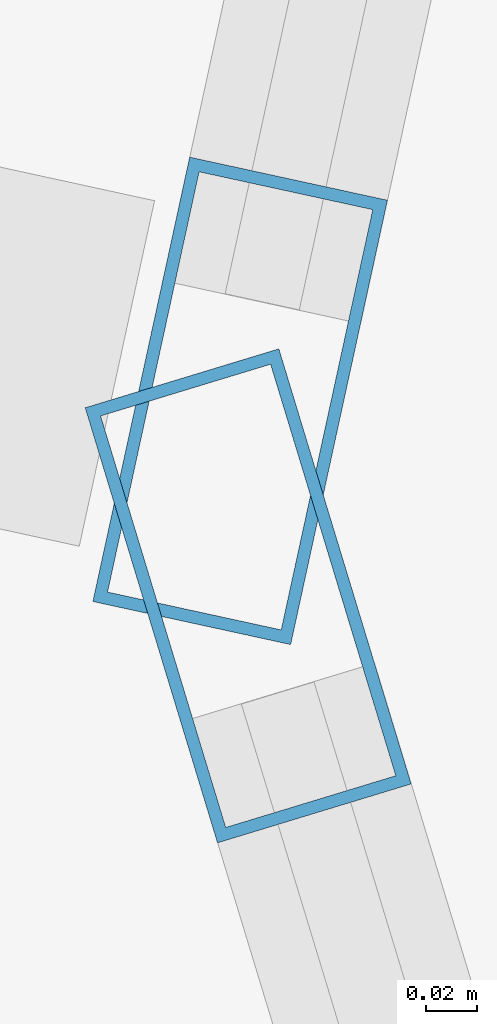
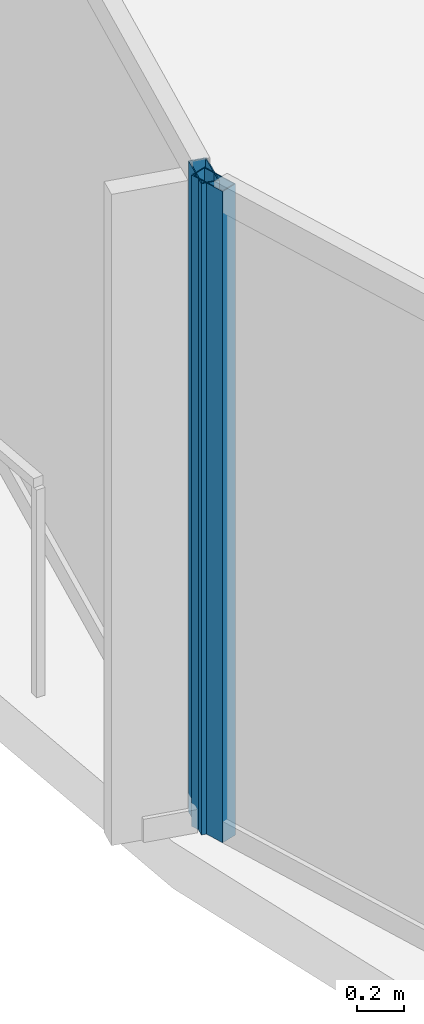
# One storey, part 8 of 34: 2 members, 2 elements without a shape of their own.
"""IFC4 building model written with IfcOpenShell, lengths in metres."""

from ifc_helpers import new_model, si_unit, direction, frame, origin, origin_2d, place, context, subcontext, project, spatial, hollow_rectangle, extrude, material, layer, layer_set, material_profile, profile_set, type_object, element, aggregate, save


model = new_model("IFC4")

# Units and contexts
model_context = context("Model", 3, precision=1e-05, world=origin(), true_north=direction((0.0, 1.0)))
body_context = subcontext(model_context, "Body", "Model", "MODEL_VIEW")
ifc_project = project(units=[si_unit("LENGTHUNIT", "METRE"), si_unit("AREAUNIT", "SQUARE_METRE"), si_unit("VOLUMEUNIT", "CUBIC_METRE"), si_unit("PLANEANGLEUNIT", "RADIAN"), si_unit("MASSUNIT", "GRAM", prefix="KILO")], contexts=[model_context])

# Site, building, storey
site_placement = place(None, origin())
site = spatial("IfcSite", under=ifc_project, at=site_placement, CompositionType="ELEMENT")
building_placement = place(site_placement, origin())
building = spatial("IfcBuilding", under=site, at=building_placement, Name="Kazevale Care Tower and Concert Hall", CompositionType="ELEMENT")
storey_placement = place(building_placement, frame((0.0, 0.0, 167.39990234375)))
storey = spatial("IfcBuildingStorey", under=building, at=storey_placement, Name="L44", CompositionType="ELEMENT", Elevation=167.39990234375)

# Curtain wall, member
ifc_material_1 = material(Name="Aluminium 6063-T6 and Low-E Glass", Category="aluminium")
ifc_layer = layer(ifc_material_1, 0.179931640625)
ifc_layer_set = layer_set([ifc_layer], Name="Aluminium 6063-T6 and Low-E Glass")
curtain_wall_type = type_object("IfcCurtainWallType", Name="Waist & Upper Residential Curtain Wall CW-4", PredefinedType="NOTDEFINED", material=ifc_layer_set)
curtain_wall_1_placement = place(storey_placement, origin())
curtain_wall_1 = element("IfcCurtainWall", 1, at=curtain_wall_1_placement, inside=storey, type_object=curtain_wall_type, Name="cw:L44:f12", PredefinedType="NOTDEFINED")
ifc_material_2 = material(Name="Aluminium 6063-T6", Category="aluminium")
ifc_material_profile = material_profile(ifc_material_2, hollow_rectangle(XDim=0.080078125, YDim=0.179931640625, WallThickness=0.0048828125, at=origin_2d()), Name="ALU80x180x5")
ifc_profile_set = profile_set([ifc_material_profile], Name="Aluminium 6063-T6")
member_type = type_object("IfcMemberType", Name="CW-4 Mullion ALU80x180x5", PredefinedType="MULLION", material=ifc_profile_set)
member_1_placement = place(storey_placement, frame((11.006591796875, 34.98583984375, 0.0), z_axis=(0.0, 0.0, 1.0), x_axis=(-0.956729897234, -0.290977496961, 0.0)))
member_1 = element("IfcMember", 2, at=member_1_placement, type_object=member_type, Name="CW-4 mullion 2", PredefinedType="MULLION", context=body_context, shape_type="SweptSolid", body=[
    extrude(hollow_rectangle(XDim=0.080078125, YDim=0.179931640625, WallThickness=0.0048828125, at=origin_2d()), origin(), (0.0, 0.0, 1.0), 3.360107421875),
])
aggregate(curtain_wall_1, [member_1])

curtain_wall_2_placement = place(storey_placement, origin())
curtain_wall_2 = element("IfcCurtainWall", 3, at=curtain_wall_2_placement, inside=storey, type_object=curtain_wall_type, Name="cw:L44:f13", PredefinedType="NOTDEFINED")
member_2_placement = place(storey_placement, frame((11.00341796875, 35.06298828125, 0.0), z_axis=(0.0, 0.0, 1.0), x_axis=(-0.977090755849, 0.21282305992, 0.0)))
member_2 = element("IfcMember", 4, at=member_2_placement, type_object=member_type, Name="CW-4 mullion 1", PredefinedType="MULLION", context=body_context, shape_type="SweptSolid", body=[
    extrude(hollow_rectangle(XDim=0.080078125, YDim=0.179931640625, WallThickness=0.0048828125, at=origin_2d()), origin(), (0.0, 0.0, 1.0), 3.360107421875),
])
aggregate(curtain_wall_2, [member_2])

save(model, "model.ifc")
